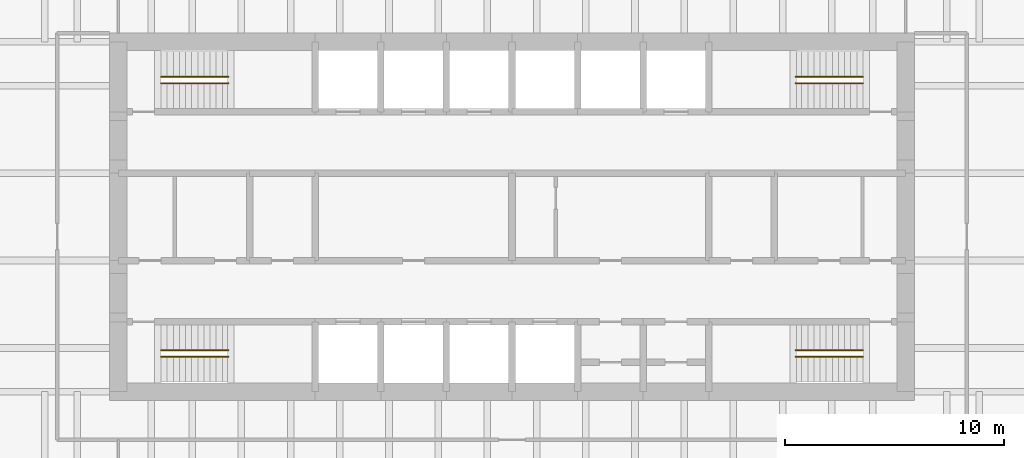
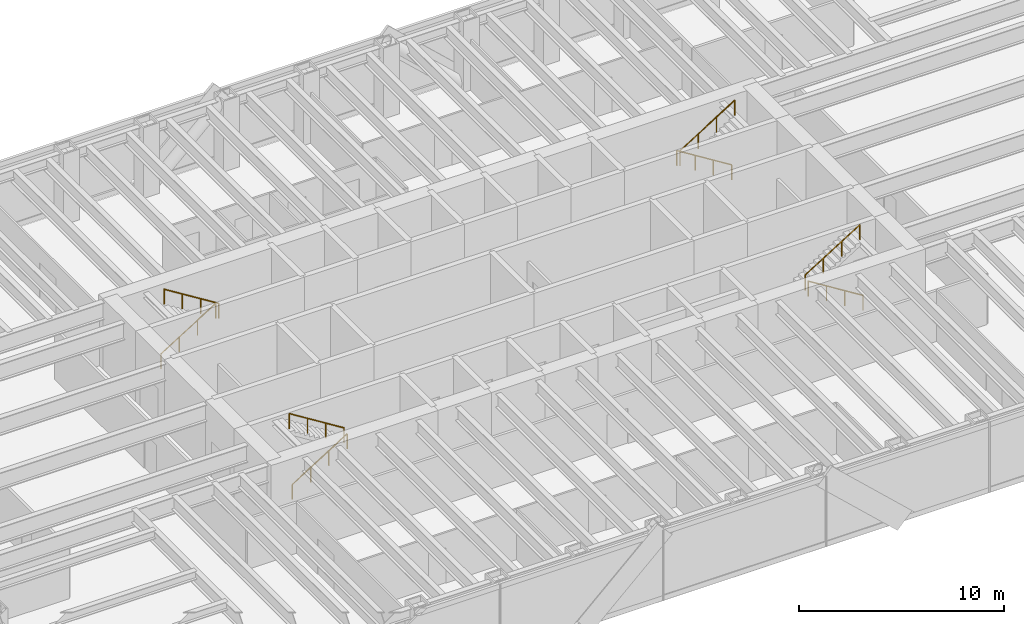
# One storey, part 19 of 19: 8 railings.
"""IFC4 building model written with IfcOpenShell, lengths in metres."""

from ifc_helpers import new_model, si_unit, direction, frame, origin, origin_2d, place, context, subcontext, project, spatial, circle, extrude, material, type_object, element, save


model = new_model("IFC4")

# Units and contexts
model_context = context("Model", 3, precision=1e-05, world=origin(), true_north=direction((0.0, 1.0)))
body_context = subcontext(model_context, "Body", "Model", "MODEL_VIEW")
ifc_project = project(units=[si_unit("LENGTHUNIT", "METRE"), si_unit("AREAUNIT", "SQUARE_METRE"), si_unit("VOLUMEUNIT", "CUBIC_METRE"), si_unit("PLANEANGLEUNIT", "RADIAN"), si_unit("MASSUNIT", "GRAM", prefix="KILO")], contexts=[model_context])

# Site, building, storey
site_placement = place(None, origin())
site = spatial("IfcSite", under=ifc_project, at=site_placement, CompositionType="ELEMENT")
building_placement = place(site_placement, origin())
building = spatial("IfcBuilding", under=site, at=building_placement, Name="Rheinbord Bourse Tower", CompositionType="ELEMENT")
storey_placement = place(building_placement, frame((0.0, 0.0, 206.800048828125)))
storey = spatial("IfcBuildingStorey", under=building, at=storey_placement, Name="L46", CompositionType="ELEMENT", Elevation=206.800048828125)

# Railings
ifc_material = material(Name="Steel handrail", Category="steel")
railing_type = type_object("IfcRailingType", Name="HANDRAIL 900", PredefinedType="HANDRAIL", material=ifc_material)
railing_1_placement = place(storey_placement, frame((19.949951171875, 17.60009765625, 0.175048828125)))
element("IfcRailing", 1, at=railing_1_placement, inside=storey, type_object=railing_type, Name="Handrail", PredefinedType="HANDRAIL", context=body_context, shape_type="SweptSolid", body=[
    extrude(circle(Radius=0.02392578125, at=origin_2d()), frame((0.0, 0.0, 0.8759765625), z_axis=(0.848028513186, 0.0, 0.529950602248), x_axis=(0.0, 1.0, 0.0)), (0.0, 0.0, 1.0), 3.632080078125),
    extrude(circle(Radius=0.02099609375, at=origin_2d()), origin(), (0.0, 0.0, 1.0), 0.851806640625),
    extrude(circle(Radius=0.02099609375, at=origin_2d()), frame((1.026611328125, 0.0, 0.6416015625)), (0.0, 0.0, 1.0), 0.851806640625),
    extrude(circle(Radius=0.02099609375, at=origin_2d()), frame((2.053466796875, 0.0, 1.283203125)), (0.0, 0.0, 1.0), 0.851806640625),
    extrude(circle(Radius=0.02099609375, at=origin_2d()), frame((3.080078125, 0.0, 1.9248046875)), (0.0, 0.0, 1.0), 0.851806640625),
])
railing_2_placement = place(storey_placement, frame((23.030029296875, 17.89990234375, 2.27490234375)))
element("IfcRailing", 2, at=railing_2_placement, inside=storey, type_object=railing_type, Name="Handrail", PredefinedType="HANDRAIL", context=body_context, shape_type="SweptSolid", body=[
    extrude(circle(Radius=0.02392578125, at=origin_2d()), frame((0.0, 0.0, 0.8759765625), z_axis=(-0.847998304005, 0.0, 0.529998940003), x_axis=(0.0, -1.0, 0.0)), (0.0, 0.0, 1.0), 3.632080078125),
    extrude(circle(Radius=0.02099609375, at=origin_2d()), origin(), (0.0, 0.0, 1.0), 0.851806640625),
    extrude(circle(Radius=0.02099609375, at=origin_2d()), frame((-1.026611328125, 0.0, 0.6416015625)), (0.0, 0.0, 1.0), 0.851806640625),
    extrude(circle(Radius=0.02099609375, at=origin_2d()), frame((-2.053466796875, 0.0, 1.283447265625)), (0.0, 0.0, 1.0), 0.851806640625),
    extrude(circle(Radius=0.02099609375, at=origin_2d()), frame((-3.080078125, 0.0, 1.925048828125)), (0.0, 0.0, 1.0), 0.851806640625),
])
railing_3_placement = place(storey_placement, frame((19.949951171875, 30.39990234375, 0.175048828125)))
element("IfcRailing", 3, at=railing_3_placement, inside=storey, type_object=railing_type, Name="Handrail", PredefinedType="HANDRAIL", context=body_context, shape_type="SweptSolid", body=[
    extrude(circle(Radius=0.02392578125, at=origin_2d()), frame((0.0, 0.0, 0.8759765625), z_axis=(0.848028513186, 0.0, 0.529950602248), x_axis=(0.0, 1.0, 0.0)), (0.0, 0.0, 1.0), 3.632080078125),
    extrude(circle(Radius=0.02099609375, at=origin_2d()), origin(), (0.0, 0.0, 1.0), 0.851806640625),
    extrude(circle(Radius=0.02099609375, at=origin_2d()), frame((1.026611328125, 0.0, 0.6416015625)), (0.0, 0.0, 1.0), 0.851806640625),
    extrude(circle(Radius=0.02099609375, at=origin_2d()), frame((2.053466796875, 0.0, 1.283203125)), (0.0, 0.0, 1.0), 0.851806640625),
    extrude(circle(Radius=0.02099609375, at=origin_2d()), frame((3.080078125, 0.0, 1.9248046875)), (0.0, 0.0, 1.0), 0.851806640625),
])
railing_4_placement = place(storey_placement, frame((23.030029296875, 30.10009765625, 2.27490234375)))
element("IfcRailing", 4, at=railing_4_placement, inside=storey, type_object=railing_type, Name="Handrail", PredefinedType="HANDRAIL", context=body_context, shape_type="SweptSolid", body=[
    extrude(circle(Radius=0.02392578125, at=origin_2d()), frame((0.0, 0.0, 0.8759765625), z_axis=(-0.847998304005, 0.0, 0.529998940003), x_axis=(0.0, -1.0, 0.0)), (0.0, 0.0, 1.0), 3.632080078125),
    extrude(circle(Radius=0.02099609375, at=origin_2d()), origin(), (0.0, 0.0, 1.0), 0.851806640625),
    extrude(circle(Radius=0.02099609375, at=origin_2d()), frame((-1.026611328125, 0.0, 0.6416015625)), (0.0, 0.0, 1.0), 0.851806640625),
    extrude(circle(Radius=0.02099609375, at=origin_2d()), frame((-2.053466796875, 0.0, 1.283447265625)), (0.0, 0.0, 1.0), 0.851806640625),
    extrude(circle(Radius=0.02099609375, at=origin_2d()), frame((-3.080078125, 0.0, 1.925048828125)), (0.0, 0.0, 1.0), 0.851806640625),
])
railing_5_placement = place(storey_placement, frame((52.050048828125, 17.60009765625, 0.175048828125)))
element("IfcRailing", 5, at=railing_5_placement, inside=storey, type_object=railing_type, Name="Handrail", PredefinedType="HANDRAIL", context=body_context, shape_type="SweptSolid", body=[
    extrude(circle(Radius=0.02392578125, at=origin_2d()), frame((0.0, 0.0, 0.8759765625), z_axis=(-0.848028513186, 0.0, 0.529950602248), x_axis=(0.0, -1.0, 0.0)), (0.0, 0.0, 1.0), 3.632080078125),
    extrude(circle(Radius=0.02099609375, at=origin_2d()), origin(), (0.0, 0.0, 1.0), 0.851806640625),
    extrude(circle(Radius=0.02099609375, at=origin_2d()), frame((-1.026611328125, 0.0, 0.6416015625)), (0.0, 0.0, 1.0), 0.851806640625),
    extrude(circle(Radius=0.02099609375, at=origin_2d()), frame((-2.053466796875, 0.0, 1.283203125)), (0.0, 0.0, 1.0), 0.851806640625),
    extrude(circle(Radius=0.02099609375, at=origin_2d()), frame((-3.080078125, 0.0, 1.9248046875)), (0.0, 0.0, 1.0), 0.851806640625),
])
railing_6_placement = place(storey_placement, frame((48.969970703125, 17.89990234375, 2.27490234375)))
element("IfcRailing", 6, at=railing_6_placement, inside=storey, type_object=railing_type, Name="Handrail", PredefinedType="HANDRAIL", context=body_context, shape_type="SweptSolid", body=[
    extrude(circle(Radius=0.02392578125, at=origin_2d()), frame((0.0, 0.0, 0.8759765625), z_axis=(0.847998304005, 0.0, 0.529998940003), x_axis=(0.0, 1.0, 0.0)), (0.0, 0.0, 1.0), 3.632080078125),
    extrude(circle(Radius=0.02099609375, at=origin_2d()), origin(), (0.0, 0.0, 1.0), 0.851806640625),
    extrude(circle(Radius=0.02099609375, at=origin_2d()), frame((1.026611328125, 0.0, 0.6416015625)), (0.0, 0.0, 1.0), 0.851806640625),
    extrude(circle(Radius=0.02099609375, at=origin_2d()), frame((2.053466796875, 0.0, 1.283447265625)), (0.0, 0.0, 1.0), 0.851806640625),
    extrude(circle(Radius=0.02099609375, at=origin_2d()), frame((3.080078125, 0.0, 1.925048828125)), (0.0, 0.0, 1.0), 0.851806640625),
])
railing_7_placement = place(storey_placement, frame((52.050048828125, 30.39990234375, 0.175048828125)))
element("IfcRailing", 7, at=railing_7_placement, inside=storey, type_object=railing_type, Name="Handrail", PredefinedType="HANDRAIL", context=body_context, shape_type="SweptSolid", body=[
    extrude(circle(Radius=0.02392578125, at=origin_2d()), frame((0.0, 0.0, 0.8759765625), z_axis=(-0.848028513186, 0.0, 0.529950602248), x_axis=(0.0, -1.0, 0.0)), (0.0, 0.0, 1.0), 3.632080078125),
    extrude(circle(Radius=0.02099609375, at=origin_2d()), origin(), (0.0, 0.0, 1.0), 0.851806640625),
    extrude(circle(Radius=0.02099609375, at=origin_2d()), frame((-1.026611328125, 0.0, 0.6416015625)), (0.0, 0.0, 1.0), 0.851806640625),
    extrude(circle(Radius=0.02099609375, at=origin_2d()), frame((-2.053466796875, 0.0, 1.283203125)), (0.0, 0.0, 1.0), 0.851806640625),
    extrude(circle(Radius=0.02099609375, at=origin_2d()), frame((-3.080078125, 0.0, 1.9248046875)), (0.0, 0.0, 1.0), 0.851806640625),
])
railing_8_placement = place(storey_placement, frame((48.969970703125, 30.10009765625, 2.27490234375)))
element("IfcRailing", 8, at=railing_8_placement, inside=storey, type_object=railing_type, Name="Handrail", PredefinedType="HANDRAIL", context=body_context, shape_type="SweptSolid", body=[
    extrude(circle(Radius=0.02392578125, at=origin_2d()), frame((0.0, 0.0, 0.8759765625), z_axis=(0.847998304005, 0.0, 0.529998940003), x_axis=(0.0, 1.0, 0.0)), (0.0, 0.0, 1.0), 3.632080078125),
    extrude(circle(Radius=0.02099609375, at=origin_2d()), origin(), (0.0, 0.0, 1.0), 0.851806640625),
    extrude(circle(Radius=0.02099609375, at=origin_2d()), frame((1.026611328125, 0.0, 0.6416015625)), (0.0, 0.0, 1.0), 0.851806640625),
    extrude(circle(Radius=0.02099609375, at=origin_2d()), frame((2.053466796875, 0.0, 1.283447265625)), (0.0, 0.0, 1.0), 0.851806640625),
    extrude(circle(Radius=0.02099609375, at=origin_2d()), frame((3.080078125, 0.0, 1.925048828125)), (0.0, 0.0, 1.0), 0.851806640625),
])

save(model, "model.ifc")
